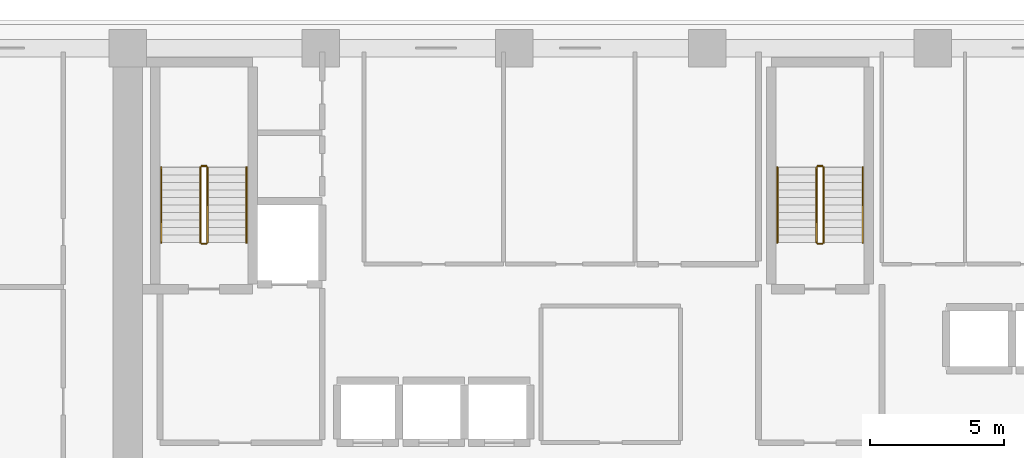
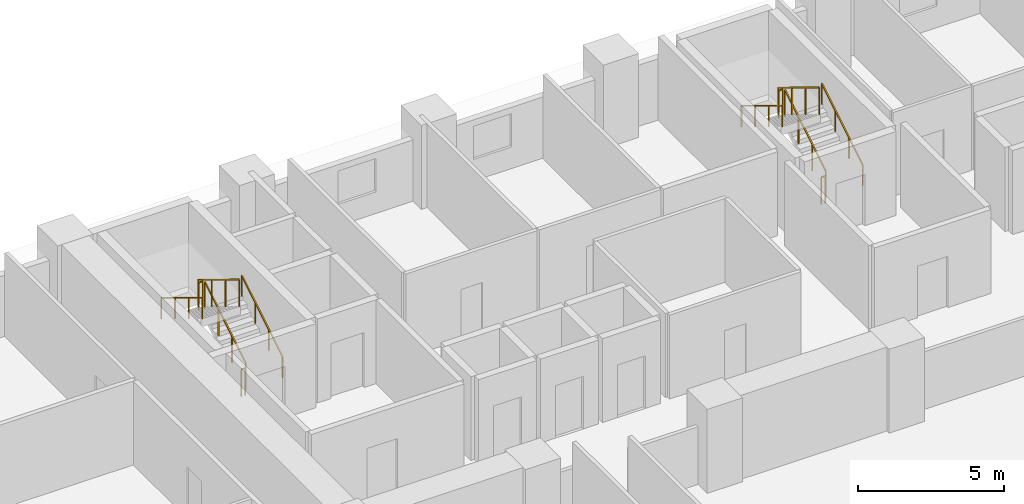
# One storey, part 13 of 15: 12 railings.
"""IFC4 building model written with IfcOpenShell, lengths in metres."""

import ifcopenshell
import ifcopenshell.guid

model = None  # the IFC model being written
_history = None  # IfcOwnerHistory: only IFC2X3 demands one
_inside = {}  # id of a spatial element -> (the spatial element, [elements in it])
_under = {}  # id of a project, library or spatial element -> (it, [spatial elements below it])
_declared = {}  # id of a project -> (the project, [libraries it declares])
_typed = {}  # id of a type object -> (the type object, [elements of that type])
_made_of = {}  # id of a material, layer set ... -> (it, [elements and type objects made of it])


def new_model(schema):
    """Start an empty IFC model of exactly this schema.

    Asked for "IFC4X3", IfcOpenShell would pick the latest addendum, in which some entities
    have other attributes; the version numbers below select the first issue.
    IFC2X3 requires an IfcOwnerHistory on every rooted entity: one is made here for all.
    """
    global model, _history
    if schema == "IFC4X3":
        model = ifcopenshell.file(schema_version=(4, 3, 0, 0))
    else:
        model = ifcopenshell.file(schema=schema)
    _inside.clear()
    _under.clear()
    _declared.clear()
    _typed.clear()
    _made_of.clear()
    _history = None
    if model.schema == "IFC2X3":
        org = make("IfcOrganization", Name="unknown")
        user = make(
            "IfcPersonAndOrganization",
            ThePerson=make("IfcPerson", FamilyName="unknown"),
            TheOrganization=org,
        )
        app = make(
            "IfcApplication",
            ApplicationDeveloper=org,
            Version="unknown",
            ApplicationFullName="unknown",
            ApplicationIdentifier="unknown",
        )
        _history = make(
            "IfcOwnerHistory",
            OwningUser=user,
            OwningApplication=app,
            ChangeAction="ADDED",
            CreationDate=0,
        )
    return model


def make(cls, **values):
    """One entity of the class cls with the attributes given. An attribute that is None is left unset."""
    return model.create_entity(
        cls, **{name: value for name, value in values.items() if value is not None}
    )


def rooted(cls, **values):
    """An entity with a GlobalId (a new one), such as an element, a storey or a relation."""
    return make(cls, GlobalId=ifcopenshell.guid.new(), OwnerHistory=_history, **values)


def si_unit(unit_type, name, prefix=None):
    """IfcSIUnit, for example si_unit("LENGTHUNIT", "METRE", prefix="MILLI")."""
    return make("IfcSIUnit", UnitType=unit_type, Prefix=prefix, Name=name)


def assignment(units):
    """IfcUnitAssignment: the units of a project."""
    return None if units is None else make("IfcUnitAssignment", Units=units)


def point(xyz):
    """IfcCartesianPoint."""
    return None if xyz is None else make("IfcCartesianPoint", Coordinates=xyz)


def direction(xyz):
    """IfcDirection."""
    return None if xyz is None else make("IfcDirection", DirectionRatios=xyz)


def frame(location, z_axis=None, x_axis=None):
    """IfcAxis2Placement3D, a coordinate frame: its origin and axes. An axis left out is left unset."""
    return make(
        "IfcAxis2Placement3D",
        Location=point(location),
        Axis=direction(z_axis),
        RefDirection=direction(x_axis),
    )


def frame_2d(location, x_axis=None):
    """IfcAxis2Placement2D, a coordinate frame in the plane: its origin and x axis."""
    return make(
        "IfcAxis2Placement2D", Location=point(location), RefDirection=direction(x_axis)
    )


def origin():
    """The frame at (0, 0, 0) with its axes left unset."""
    return frame((0.0, 0.0, 0.0))


def origin_2d():
    """The frame at (0, 0) in the plane with its x axis left unset."""
    return frame_2d((0.0, 0.0))


def place(relative_to, where):
    """IfcLocalPlacement: puts the frame where relative to a parent placement (None: the world)."""
    return make(
        "IfcLocalPlacement", PlacementRelTo=relative_to, RelativePlacement=where
    )


def context(
    kind, dimensions, precision=None, world=None, true_north=None, identifier=None
):
    """IfcGeometricRepresentationContext, for example the 3D "Model" context."""
    return make(
        "IfcGeometricRepresentationContext",
        ContextIdentifier=identifier,
        ContextType=kind,
        CoordinateSpaceDimension=dimensions,
        Precision=precision,
        WorldCoordinateSystem=world,
        TrueNorth=true_north,
    )


def subcontext(parent, identifier, kind, view, scale=None):
    """IfcGeometricRepresentationSubContext, for example "Body" below "Model"."""
    return make(
        "IfcGeometricRepresentationSubContext",
        ContextIdentifier=identifier,
        ContextType=kind,
        ParentContext=parent,
        TargetScale=scale,
        TargetView=view,
    )


def project(units=None, contexts=None):
    """IfcProject with its units and contexts."""
    return rooted(
        "IfcProject",
        Name="project",
        RepresentationContexts=contexts,
        UnitsInContext=assignment(units),
    )


def spatial(cls, under=None, at=None, **own):
    """A site, building, storey or space (cls), placed at a placement, below another one or the project."""
    s = rooted(cls, ObjectPlacement=at, **own)
    if under is not None:
        _under.setdefault(under.id(), (under, []))[1].append(s)
    return s


def profile(cls, at=None, kind="AREA", **sizes):
    """A parametric profile (cls). Its sizes go by their IFC names, for example OverallWidth=200.0."""
    return make(cls, ProfileType=kind, Position=at, **sizes)


def rectangle(**sizes):
    """IfcRectangleProfileDef."""
    return profile("IfcRectangleProfileDef", **sizes)


def extrude(swept, where, along, depth):
    """IfcExtrudedAreaSolid: the profile swept, set in the frame where, extruded along a direction by depth."""
    return make(
        "IfcExtrudedAreaSolid",
        SweptArea=swept,
        Position=where,
        ExtrudedDirection=direction(along),
        Depth=depth,
    )


def shape(context_of_items, identifier, shape_type, items):
    """IfcShapeRepresentation: the items that make up one representation, for example the "Body"."""
    return make(
        "IfcShapeRepresentation",
        ContextOfItems=context_of_items,
        RepresentationIdentifier=identifier,
        RepresentationType=shape_type,
        Items=items,
    )


def material(Name=None, Category=None):
    """IfcMaterial."""
    return make("IfcMaterial", Name=Name, Category=Category)


def made_of(thing, what):
    """Note that an element or type object is made of a material, layer set ...; save() writes the relation."""
    if what is not None:
        _made_of.setdefault(what.id(), (what, []))[1].append(thing)
    return thing


def type_object(cls, material=None, **own):
    """A type object (cls), such as IfcWallType, which elements share."""
    return made_of(rooted(cls, **own), material)


def element(
    cls,
    number,
    at=None,
    inside=None,
    cuts=None,
    type_object=None,
    material=None,
    context=None,
    identifier="Body",
    shape_type=None,
    held_by="IfcProductDefinitionShape",
    body=None,
    shapes=None,
    **own,
):
    """One element of the class cls, such as IfcWall. Its Tag is "e" and its number.

    at: its placement. inside: the storey or other place that contains it. cuts: it is an
    opening in that element (IfcRelVoidsElement). A single representation is given by context,
    identifier, shape_type and body (its items); several are given by shapes. held_by: the class
    of the entity that holds the representations. save() writes the other relations.
    """
    e = rooted(cls, Tag="e%d" % number, ObjectPlacement=at, **own)
    if body is not None:
        shapes = [shape(context, identifier, shape_type, body)]
    if shapes is not None:
        e.Representation = make(held_by, Representations=shapes)
    if inside is not None:
        _inside.setdefault(inside.id(), (inside, []))[1].append(e)
    if cuts is not None:
        rooted(
            "IfcRelVoidsElement", RelatingBuildingElement=cuts, RelatedOpeningElement=e
        )
    if type_object is not None:
        _typed.setdefault(type_object.id(), (type_object, []))[1].append(e)
    return made_of(e, material)


def aggregate(whole, parts):
    """IfcRelAggregates: a whole, such as a stair, and the parts it consists of."""
    return rooted("IfcRelAggregates", RelatingObject=whole, RelatedObjects=parts)


def save(model, path):
    """Write the relations noted so far, then the file.

    IfcRelAggregates (storeys below a building ...), IfcRelContainedInSpatialStructure (elements
    in a storey), IfcRelDefinesByType, IfcRelAssociatesMaterial and IfcRelDeclares: one each for
    every whole, place, type object, material and project.
    """
    for whole, parts in _under.values():
        aggregate(whole, parts)
    for where, things in _inside.values():
        rooted(
            "IfcRelContainedInSpatialStructure",
            RelatedElements=things,
            RelatingStructure=where,
        )
    for kind, things in _typed.values():
        rooted("IfcRelDefinesByType", RelatedObjects=things, RelatingType=kind)
    for what, things in _made_of.values():
        rooted("IfcRelAssociatesMaterial", RelatedObjects=things, RelatingMaterial=what)
    for by, libraries in _declared.values():
        rooted("IfcRelDeclares", RelatingContext=by, RelatedDefinitions=libraries)
    model.write(path)


model = new_model("IFC4")

# Units and contexts
model_context = context("Model", 3, precision=1e-05, world=origin(), true_north=direction((0.0, 1.0)))
body_context = subcontext(model_context, "Body", "Model", "MODEL_VIEW")
ifc_project = project(units=[si_unit("LENGTHUNIT", "METRE"), si_unit("AREAUNIT", "SQUARE_METRE"), si_unit("VOLUMEUNIT", "CUBIC_METRE"), si_unit("PLANEANGLEUNIT", "RADIAN"), si_unit("MASSUNIT", "GRAM", prefix="KILO")], contexts=[model_context])

# Site, building, storey
site_placement = place(None, origin())
site = spatial("IfcSite", under=ifc_project, at=site_placement, CompositionType="ELEMENT")
building_placement = place(site_placement, origin())
building = spatial("IfcBuilding", under=site, at=building_placement, Name="Kaelvorn Grand Hotel", CompositionType="ELEMENT")
storey_placement = place(building_placement, frame((0.0, 0.0, 65.14990234375)))
storey = spatial("IfcBuildingStorey", under=building, at=storey_placement, Name="L14", CompositionType="ELEMENT", Elevation=65.14990234375)

# Railings
ifc_material = material(Name="Stainless Steel", Category="steel")
railing_type_1 = type_object("IfcRailingType", Name="RL-HANDRAIL-900", PredefinedType="HANDRAIL", material=ifc_material)
railing_1_placement = place(storey_placement, frame((20.6298828125, 41.760009765625, 0.170654296875)))
element("IfcRailing", 1, at=railing_1_placement, inside=storey, type_object=railing_type_1, Name="L14 ST1 stair handrail 1", PredefinedType="HANDRAIL", context=body_context, shape_type="SweptSolid", body=[
    extrude(rectangle(XDim=0.048095703125, YDim=0.048095703125, at=origin_2d()), frame((0.0, 0.0, 0.8759765625), z_axis=(0.0, 0.854202870247, 0.519939858505), x_axis=(-1.0, 0.0, 0.0)), (0.0, 0.0, 1.0), 3.278076171875),
    extrude(rectangle(XDim=0.0419921875, YDim=0.0419921875, at=origin_2d()), origin(), (0.0, 0.0, 1.0), 0.851806640625),
    extrude(rectangle(XDim=0.0419921875, YDim=0.0419921875, at=origin_2d()), frame((0.0, 0.933349609375, 0.568115234375)), (0.0, 0.0, 1.0), 0.851806640625),
    extrude(rectangle(XDim=0.0419921875, YDim=0.0419921875, at=origin_2d()), frame((0.0, 1.86669921875, 1.13623046875)), (0.0, 0.0, 1.0), 0.851806640625),
    extrude(rectangle(XDim=0.0419921875, YDim=0.0419921875, at=origin_2d()), frame((0.0, 2.800048828125, 1.704345703125)), (0.0, 0.0, 1.0), 0.851806640625),
])
railing_2_placement = place(storey_placement, frame((17.449951171875, 44.56005859375, 2.045654296875)))
element("IfcRailing", 2, at=railing_2_placement, inside=storey, type_object=railing_type_1, Name="L14 ST1 stair handrail 2", PredefinedType="HANDRAIL", context=body_context, shape_type="SweptSolid", body=[
    extrude(rectangle(XDim=0.048095703125, YDim=0.048095703125, at=origin_2d()), frame((0.0, 0.0, 0.8759765625), z_axis=(0.0, -0.854202870247, 0.519939858505), x_axis=(1.0, 0.0, 0.0)), (0.0, 0.0, 1.0), 3.278076171875),
    extrude(rectangle(XDim=0.0419921875, YDim=0.0419921875, at=origin_2d()), origin(), (0.0, 0.0, 1.0), 0.851806640625),
    extrude(rectangle(XDim=0.0419921875, YDim=0.0419921875, at=origin_2d()), frame((0.0, -0.933349609375, 0.568115234375)), (0.0, 0.0, 1.0), 0.851806640625),
    extrude(rectangle(XDim=0.0419921875, YDim=0.0419921875, at=origin_2d()), frame((0.0, -1.86669921875, 1.13623046875)), (0.0, 0.0, 1.0), 0.851806640625),
    extrude(rectangle(XDim=0.0419921875, YDim=0.0419921875, at=origin_2d()), frame((0.0, -2.800048828125, 1.704345703125)), (0.0, 0.0, 1.0), 0.851806640625),
])
railing_3_placement = place(storey_placement, frame((43.590087890625, 41.760009765625, 0.170654296875)))
element("IfcRailing", 3, at=railing_3_placement, inside=storey, type_object=railing_type_1, Name="L14 ST2 stair handrail 1", PredefinedType="HANDRAIL", context=body_context, shape_type="SweptSolid", body=[
    extrude(rectangle(XDim=0.048095703125, YDim=0.048095703125, at=origin_2d()), frame((0.0, 0.0, 0.8759765625), z_axis=(0.0, 0.854202870247, 0.519939858505), x_axis=(-1.0, 0.0, 0.0)), (0.0, 0.0, 1.0), 3.278076171875),
    extrude(rectangle(XDim=0.0419921875, YDim=0.0419921875, at=origin_2d()), origin(), (0.0, 0.0, 1.0), 0.851806640625),
    extrude(rectangle(XDim=0.0419921875, YDim=0.0419921875, at=origin_2d()), frame((0.0, 0.933349609375, 0.568115234375)), (0.0, 0.0, 1.0), 0.851806640625),
    extrude(rectangle(XDim=0.0419921875, YDim=0.0419921875, at=origin_2d()), frame((0.0, 1.86669921875, 1.13623046875)), (0.0, 0.0, 1.0), 0.851806640625),
    extrude(rectangle(XDim=0.0419921875, YDim=0.0419921875, at=origin_2d()), frame((0.0, 2.800048828125, 1.704345703125)), (0.0, 0.0, 1.0), 0.851806640625),
])
railing_4_placement = place(storey_placement, frame((40.409912109375, 44.56005859375, 2.045654296875)))
element("IfcRailing", 4, at=railing_4_placement, inside=storey, type_object=railing_type_1, Name="L14 ST2 stair handrail 2", PredefinedType="HANDRAIL", context=body_context, shape_type="SweptSolid", body=[
    extrude(rectangle(XDim=0.048095703125, YDim=0.048095703125, at=origin_2d()), frame((0.0, 0.0, 0.8759765625), z_axis=(0.0, -0.854202870247, 0.519939858505), x_axis=(1.0, 0.0, 0.0)), (0.0, 0.0, 1.0), 3.278076171875),
    extrude(rectangle(XDim=0.0419921875, YDim=0.0419921875, at=origin_2d()), origin(), (0.0, 0.0, 1.0), 0.851806640625),
    extrude(rectangle(XDim=0.0419921875, YDim=0.0419921875, at=origin_2d()), frame((0.0, -0.933349609375, 0.568115234375)), (0.0, 0.0, 1.0), 0.851806640625),
    extrude(rectangle(XDim=0.0419921875, YDim=0.0419921875, at=origin_2d()), frame((0.0, -1.86669921875, 1.13623046875)), (0.0, 0.0, 1.0), 0.851806640625),
    extrude(rectangle(XDim=0.0419921875, YDim=0.0419921875, at=origin_2d()), frame((0.0, -2.800048828125, 1.704345703125)), (0.0, 0.0, 1.0), 0.851806640625),
])
railing_type_2 = type_object("IfcRailingType", Name="RL-STAIR-GUARD-1150", PredefinedType="BALUSTRADE", material=ifc_material)
railing_5_placement = place(storey_placement, frame((19.169921875, 41.760009765625, 0.170654296875)))
element("IfcRailing", 5, at=railing_5_placement, inside=storey, type_object=railing_type_2, Name="L14 ST1 stair guard 1", PredefinedType="BALUSTRADE", context=body_context, shape_type="SweptSolid", body=[
    extrude(rectangle(XDim=0.048095703125, YDim=0.048095703125, at=origin_2d()), frame((0.0, 0.0, 1.1259765625), z_axis=(0.0, 0.854202870247, 0.519939858505), x_axis=(-1.0, 0.0, 0.0)), (0.0, 0.0, 1.0), 3.278076171875),
    extrude(rectangle(XDim=0.0419921875, YDim=0.0419921875, at=origin_2d()), origin(), (0.0, 0.0, 1.0), 1.101806640625),
    extrude(rectangle(XDim=0.0419921875, YDim=0.0419921875, at=origin_2d()), frame((0.0, 0.933349609375, 0.568115234375)), (0.0, 0.0, 1.0), 1.101806640625),
    extrude(rectangle(XDim=0.0419921875, YDim=0.0419921875, at=origin_2d()), frame((0.0, 1.86669921875, 1.13623046875)), (0.0, 0.0, 1.0), 1.101806640625),
    extrude(rectangle(XDim=0.0419921875, YDim=0.0419921875, at=origin_2d()), frame((0.0, 2.800048828125, 1.704345703125)), (0.0, 0.0, 1.0), 1.101806640625),
])
railing_6_placement = place(storey_placement, frame((19.1201171875, 44.610107421875, 1.875)))
element("IfcRailing", 6, at=railing_6_placement, inside=storey, type_object=railing_type_2, Name="L14 ST1 stair guard 2", PredefinedType="BALUSTRADE", context=body_context, shape_type="SweptSolid", body=[
    extrude(rectangle(XDim=0.048095703125, YDim=0.048095703125, at=origin_2d()), frame((0.0, 0.0, 1.1259765625), z_axis=(-1.0, 0.0, 0.0), x_axis=(0.0, -1.0, 0.0)), (0.0, 0.0, 1.0), 0.16015625),
    extrude(rectangle(XDim=0.0419921875, YDim=0.0419921875, at=origin_2d()), origin(), (0.0, 0.0, 1.0), 1.101806640625),
    extrude(rectangle(XDim=0.0419921875, YDim=0.0419921875, at=origin_2d()), frame((-0.16015625, 0.0, 0.0)), (0.0, 0.0, 1.0), 1.101806640625),
])
railing_7_placement = place(storey_placement, frame((18.909912109375, 44.56005859375, 2.045654296875)))
element("IfcRailing", 7, at=railing_7_placement, inside=storey, type_object=railing_type_2, Name="L14 ST1 stair guard 3", PredefinedType="BALUSTRADE", context=body_context, shape_type="SweptSolid", body=[
    extrude(rectangle(XDim=0.048095703125, YDim=0.048095703125, at=origin_2d()), frame((0.0, 0.0, 1.1259765625), z_axis=(0.0, -0.854202870247, 0.519939858505), x_axis=(1.0, 0.0, 0.0)), (0.0, 0.0, 1.0), 3.278076171875),
    extrude(rectangle(XDim=0.0419921875, YDim=0.0419921875, at=origin_2d()), origin(), (0.0, 0.0, 1.0), 1.101806640625),
    extrude(rectangle(XDim=0.0419921875, YDim=0.0419921875, at=origin_2d()), frame((0.0, -0.933349609375, 0.568115234375)), (0.0, 0.0, 1.0), 1.101806640625),
    extrude(rectangle(XDim=0.0419921875, YDim=0.0419921875, at=origin_2d()), frame((0.0, -1.86669921875, 1.13623046875)), (0.0, 0.0, 1.0), 1.101806640625),
    extrude(rectangle(XDim=0.0419921875, YDim=0.0419921875, at=origin_2d()), frame((0.0, -2.800048828125, 1.704345703125)), (0.0, 0.0, 1.0), 1.101806640625),
])
railing_8_placement = place(storey_placement, frame((19.1201171875, 41.7099609375, 0.0)))
element("IfcRailing", 8, at=railing_8_placement, inside=storey, type_object=railing_type_2, Name="L14 ST1 stair guard 4", PredefinedType="BALUSTRADE", context=body_context, shape_type="SweptSolid", body=[
    extrude(rectangle(XDim=0.048095703125, YDim=0.048095703125, at=origin_2d()), frame((0.0, 0.0, 1.1259765625), z_axis=(-1.0, 0.0, 0.0), x_axis=(0.0, -1.0, 0.0)), (0.0, 0.0, 1.0), 0.16015625),
    extrude(rectangle(XDim=0.0419921875, YDim=0.0419921875, at=origin_2d()), origin(), (0.0, 0.0, 1.0), 1.101806640625),
    extrude(rectangle(XDim=0.0419921875, YDim=0.0419921875, at=origin_2d()), frame((-0.16015625, 0.0, 0.0)), (0.0, 0.0, 1.0), 1.101806640625),
])
railing_9_placement = place(storey_placement, frame((42.1298828125, 41.760009765625, 0.170654296875)))
element("IfcRailing", 9, at=railing_9_placement, inside=storey, type_object=railing_type_2, Name="L14 ST2 stair guard 1", PredefinedType="BALUSTRADE", context=body_context, shape_type="SweptSolid", body=[
    extrude(rectangle(XDim=0.048095703125, YDim=0.048095703125, at=origin_2d()), frame((0.0, 0.0, 1.1259765625), z_axis=(0.0, 0.854202870247, 0.519939858505), x_axis=(-1.0, 0.0, 0.0)), (0.0, 0.0, 1.0), 3.278076171875),
    extrude(rectangle(XDim=0.0419921875, YDim=0.0419921875, at=origin_2d()), origin(), (0.0, 0.0, 1.0), 1.101806640625),
    extrude(rectangle(XDim=0.0419921875, YDim=0.0419921875, at=origin_2d()), frame((0.0, 0.933349609375, 0.568115234375)), (0.0, 0.0, 1.0), 1.101806640625),
    extrude(rectangle(XDim=0.0419921875, YDim=0.0419921875, at=origin_2d()), frame((0.0, 1.86669921875, 1.13623046875)), (0.0, 0.0, 1.0), 1.101806640625),
    extrude(rectangle(XDim=0.0419921875, YDim=0.0419921875, at=origin_2d()), frame((0.0, 2.800048828125, 1.704345703125)), (0.0, 0.0, 1.0), 1.101806640625),
])
railing_10_placement = place(storey_placement, frame((42.080078125, 44.610107421875, 1.875)))
element("IfcRailing", 10, at=railing_10_placement, inside=storey, type_object=railing_type_2, Name="L14 ST2 stair guard 2", PredefinedType="BALUSTRADE", context=body_context, shape_type="SweptSolid", body=[
    extrude(rectangle(XDim=0.048095703125, YDim=0.048095703125, at=origin_2d()), frame((0.0, 0.0, 1.1259765625), z_axis=(-1.0, 0.0, 0.0), x_axis=(0.0, -1.0, 0.0)), (0.0, 0.0, 1.0), 0.16015625),
    extrude(rectangle(XDim=0.0419921875, YDim=0.0419921875, at=origin_2d()), origin(), (0.0, 0.0, 1.0), 1.101806640625),
    extrude(rectangle(XDim=0.0419921875, YDim=0.0419921875, at=origin_2d()), frame((-0.16015625, 0.0, 0.0)), (0.0, 0.0, 1.0), 1.101806640625),
])
railing_11_placement = place(storey_placement, frame((41.8701171875, 44.56005859375, 2.045654296875)))
element("IfcRailing", 11, at=railing_11_placement, inside=storey, type_object=railing_type_2, Name="L14 ST2 stair guard 3", PredefinedType="BALUSTRADE", context=body_context, shape_type="SweptSolid", body=[
    extrude(rectangle(XDim=0.048095703125, YDim=0.048095703125, at=origin_2d()), frame((0.0, 0.0, 1.1259765625), z_axis=(0.0, -0.854202870247, 0.519939858505), x_axis=(1.0, 0.0, 0.0)), (0.0, 0.0, 1.0), 3.278076171875),
    extrude(rectangle(XDim=0.0419921875, YDim=0.0419921875, at=origin_2d()), origin(), (0.0, 0.0, 1.0), 1.101806640625),
    extrude(rectangle(XDim=0.0419921875, YDim=0.0419921875, at=origin_2d()), frame((0.0, -0.933349609375, 0.568115234375)), (0.0, 0.0, 1.0), 1.101806640625),
    extrude(rectangle(XDim=0.0419921875, YDim=0.0419921875, at=origin_2d()), frame((0.0, -1.86669921875, 1.13623046875)), (0.0, 0.0, 1.0), 1.101806640625),
    extrude(rectangle(XDim=0.0419921875, YDim=0.0419921875, at=origin_2d()), frame((0.0, -2.800048828125, 1.704345703125)), (0.0, 0.0, 1.0), 1.101806640625),
])
railing_12_placement = place(storey_placement, frame((42.080078125, 41.7099609375, 0.0)))
element("IfcRailing", 12, at=railing_12_placement, inside=storey, type_object=railing_type_2, Name="L14 ST2 stair guard 4", PredefinedType="BALUSTRADE", context=body_context, shape_type="SweptSolid", body=[
    extrude(rectangle(XDim=0.048095703125, YDim=0.048095703125, at=origin_2d()), frame((0.0, 0.0, 1.1259765625), z_axis=(-1.0, 0.0, 0.0), x_axis=(0.0, -1.0, 0.0)), (0.0, 0.0, 1.0), 0.16015625),
    extrude(rectangle(XDim=0.0419921875, YDim=0.0419921875, at=origin_2d()), origin(), (0.0, 0.0, 1.0), 1.101806640625),
    extrude(rectangle(XDim=0.0419921875, YDim=0.0419921875, at=origin_2d()), frame((-0.16015625, 0.0, 0.0)), (0.0, 0.0, 1.0), 1.101806640625),
])

save(model, "model.ifc")
